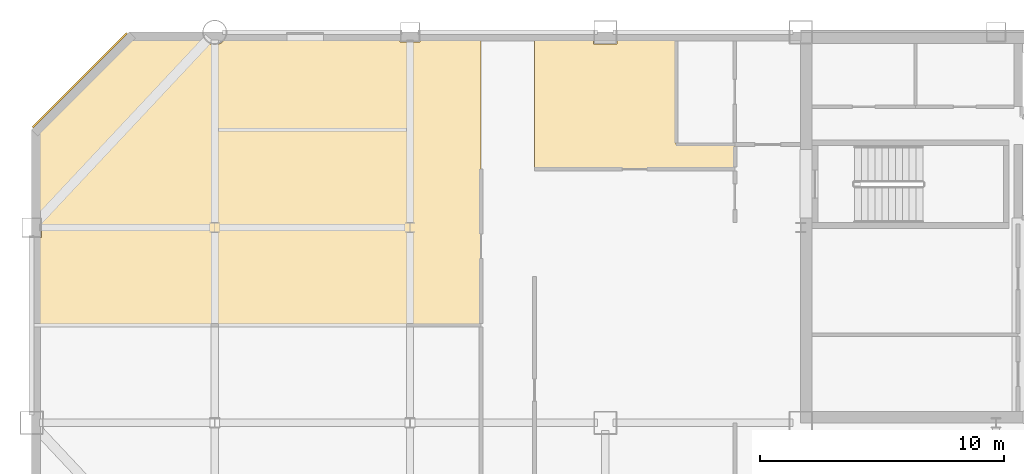
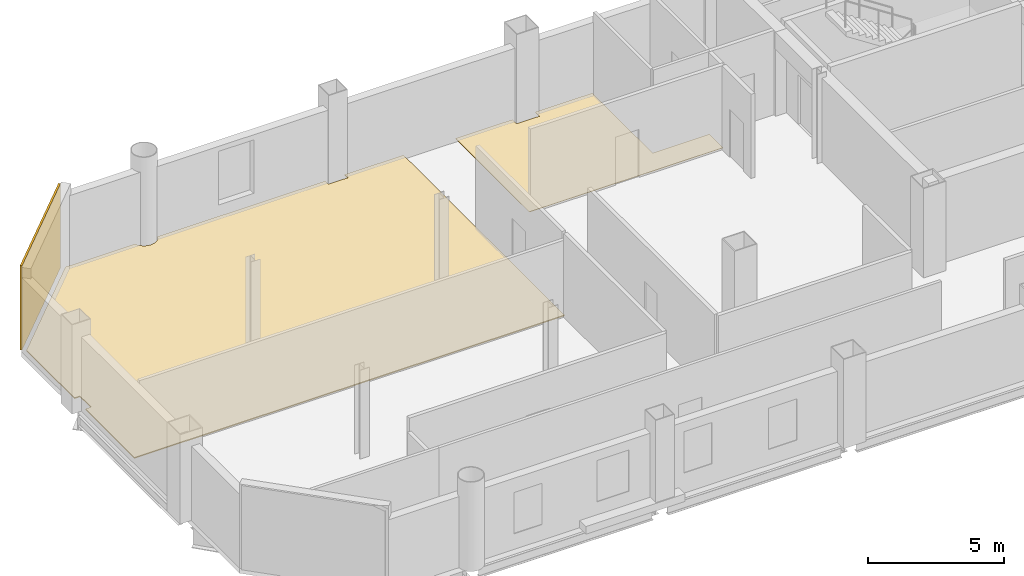
# One storey, part 9 of 10: 3 coverings.
"""IFC4 building model written with IfcOpenShell, lengths in metres."""

from ifc_helpers import new_model, si_unit, direction, frame, origin, origin_2d, place, context, subcontext, project, spatial, polyline, rectangle, outline, extrude, material, layer, layer_set, type_object, element, save


model = new_model("IFC4")

# Units and contexts
model_context = context("Model", 3, precision=1e-05, world=origin(), true_north=direction((0.0, 1.0)))
body_context = subcontext(model_context, "Body", "Model", "MODEL_VIEW")
ifc_project = project(units=[si_unit("LENGTHUNIT", "METRE"), si_unit("AREAUNIT", "SQUARE_METRE"), si_unit("VOLUMEUNIT", "CUBIC_METRE"), si_unit("PLANEANGLEUNIT", "RADIAN"), si_unit("MASSUNIT", "GRAM", prefix="KILO")], contexts=[model_context])

# Site, building, storey
site_placement = place(None, origin())
site = spatial("IfcSite", under=ifc_project, at=site_placement, CompositionType="ELEMENT")
building_placement = place(site_placement, origin())
building = spatial("IfcBuilding", under=site, at=building_placement, Name="Qianrong Seaharbour Tower", CompositionType="ELEMENT")
storey_placement = place(building_placement, frame((0.0, 0.0, 233.800048828125)))
storey = spatial("IfcBuildingStorey", under=building, at=storey_placement, Name="L56", CompositionType="ELEMENT", Elevation=233.800048828125)

# Coverings
ifc_material_1 = material(Name="Unitised red brick cladding on Precast concrete C45/55", Category="masonry")
ifc_layer_1 = layer(ifc_material_1, 0.080078125)
ifc_layer_set_1 = layer_set([ifc_layer_1], Name="Unitised red brick cladding on Precast concrete C45/55")
covering_type_1 = type_object("IfcCoveringType", Name="COV-CLAD-RED-BRICK-80", PredefinedType="CLADDING", material=ifc_layer_set_1)
covering_1_placement = place(storey_placement, frame((10.9716796875, 50.0283203125, 0.0), z_axis=(0.0, 0.0, 1.0), x_axis=(0.707106781187, 0.707106781187, 0.0)))
element("IfcCovering", 1, at=covering_1_placement, inside=storey, type_object=covering_type_1, Name="L56 Chamfer Corner Brick Cladding 04", PredefinedType="CLADDING", context=body_context, shape_type="SweptSolid", body=[
    extrude(rectangle(XDim=5.456787109375, YDim=0.080078125, at=origin_2d()), origin(), (0.0, 0.0, 1.0), 3.77490234375),
])
ifc_material_2 = material(Name="Acoustic modular carpet tile flooring")
ifc_layer_2 = layer(ifc_material_2, 0.02001953125)
ifc_layer_set_2 = layer_set([ifc_layer_2], Name="Acoustic modular carpet tile flooring")
covering_type_2 = type_object("IfcCoveringType", Name="COV-FLOOR-CARPET-20", PredefinedType="FLOORING", material=ifc_layer_set_2)
covering_2_placement = place(storey_placement, origin())
element("IfcCovering", 2, at=covering_2_placement, inside=storey, type_object=covering_type_2, Name="L56 Digital Media Hall 2 Finish Flooring", PredefinedType="FLOORING", context=body_context, shape_type="SweptSolid", body=[
    extrude(outline(polyline([(32.014892578125, 51.824951171875), (32.014892578125, 51.514892578125), (32.985107421875, 51.514892578125), (32.985107421875, 51.824951171875), (35.39990234375, 51.824951171875), (35.39990234375, 47.39990234375), (37.800048828125, 47.39990234375), (37.800048828125, 46.39990234375), (29.60009765625, 46.39990234375), (29.60009765625, 51.824951171875), (32.014892578125, 51.824951171875)])), origin(), (0.0, 0.0, 1.0), 0.02001953125),
])
ifc_material_3 = material(Name="Calcium-sulphate raised access floor tile")
ifc_layer_3 = layer(ifc_material_3, 0.044921875)
ifc_layer_set_3 = layer_set([ifc_layer_3], Name="Calcium-sulphate raised access floor tile")
covering_type_3 = type_object("IfcCoveringType", Name="COV-FLOOR-RAISED-45", PredefinedType="FLOORING", material=ifc_layer_set_3)
covering_3_placement = place(storey_placement, origin())
element("IfcCovering", 3, at=covering_3_placement, inside=storey, type_object=covering_type_3, Name="L56 West Wing Open-Plan Office Finish Flooring", PredefinedType="FLOORING", context=body_context, shape_type="SweptSolid", body=[
    extrude(outline(polyline([(9.175048828125, 43.590087890625), (9.409912109375, 43.590087890625), (9.409912109375, 44.409912109375), (9.175048828125, 44.409912109375), (9.175048828125, 47.927490234375), (13.072509765625, 51.824951171875), (16.022705078125, 51.824951171875), (16.02880859375, 51.8046875), (16.075927734375, 51.716796875), (16.139404296875, 51.639404296875), (16.216796875, 51.575927734375), (16.3046875, 51.52880859375), (16.400390625, 51.499755859375), (16.5, 51.489990234375), (16.599609375, 51.499755859375), (16.6953125, 51.52880859375), (16.783203125, 51.575927734375), (16.860595703125, 51.639404296875), (16.924072265625, 51.716796875), (16.97119140625, 51.8046875), (16.977294921875, 51.824951171875), (24.090087890625, 51.824951171875), (24.090087890625, 51.590087890625), (24.909912109375, 51.590087890625), (24.909912109375, 51.824951171875), (27.39990234375, 51.824951171875), (27.39990234375, 40.0), (9.175048828125, 40.0), (9.175048828125, 43.590087890625)])), origin(), (0.0, 0.0, 1.0), 0.044921875),
])

save(model, "model.ifc")
